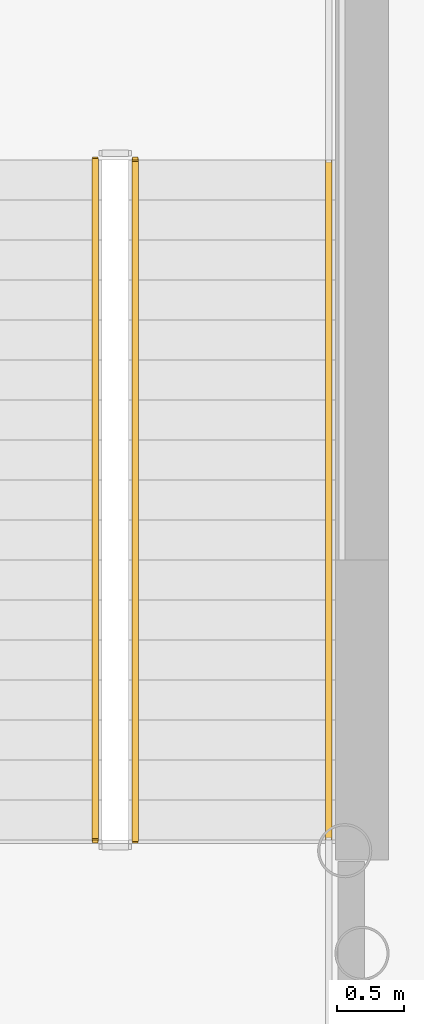
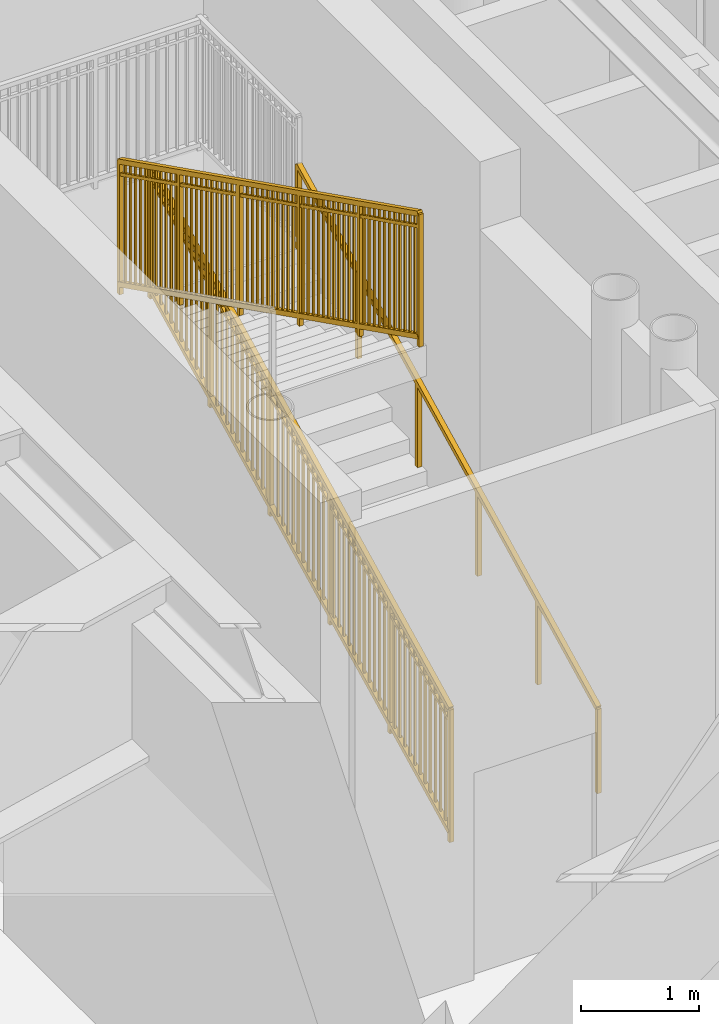
# One storey, part 10 of 15: 3 railings.
"""IFC4 building model written with IfcOpenShell, lengths in metres."""

from ifc_helpers import new_model, si_unit, direction, frame, origin, origin_2d, place, context, subcontext, project, spatial, rectangle, extrude, source, transform, mapped, material, type_object, element, save


model = new_model("IFC4")

# Units and contexts
model_context = context("Model", 3, precision=1e-05, world=origin(), true_north=direction((0.0, 1.0)))
body_context = subcontext(model_context, "Body", "Model", "MODEL_VIEW")
ifc_project = project(units=[si_unit("LENGTHUNIT", "METRE"), si_unit("AREAUNIT", "SQUARE_METRE"), si_unit("VOLUMEUNIT", "CUBIC_METRE"), si_unit("PLANEANGLEUNIT", "RADIAN"), si_unit("MASSUNIT", "GRAM", prefix="KILO")], contexts=[model_context])

# Site, building, storey
site_placement = place(None, origin())
site = spatial("IfcSite", under=ifc_project, at=site_placement, CompositionType="ELEMENT")
building_placement = place(site_placement, origin())
building = spatial("IfcBuilding", under=site, at=building_placement, Name="Linh Dai School and Residence Tower", CompositionType="ELEMENT")
storey_placement = place(building_placement, frame((0.0, 0.0, 145.949951171875)))
storey = spatial("IfcBuildingStorey", under=building, at=storey_placement, Name="L35", CompositionType="ELEMENT", Elevation=145.949951171875)

# Railings
ifc_material_1 = material(Name="Structural Steel S355JR", Category="steel")
railing_type_1 = type_object("IfcRailingType", Name="RL-ST-GUARD-1400", PredefinedType="GUARDRAIL", material=ifc_material_1)
shared_shape_1 = source(origin(), body_context, "Body", "SweptSolid", [
    extrude(rectangle(XDim=0.048095703125, YDim=0.048095703125, at=origin_2d()), frame((0.0, 0.0, 1.3759765625), z_axis=(0.0, 0.89444431709, 0.44717934168), x_axis=(-1.0, 0.0, 0.0)), (0.0, 0.0, 1.0), 5.701904296875),
    extrude(rectangle(XDim=0.048095703125, YDim=0.048095703125, at=origin_2d()), frame((0.0, 0.0, 0.10009765625), z_axis=(0.0, 0.89444431709, 0.44717934168), x_axis=(-1.0, 0.0, 0.0)), (0.0, 0.0, 1.0), 5.701904296875),
    extrude(rectangle(XDim=0.030029296875, YDim=0.030029296875, at=origin_2d()), frame((0.0, 0.0, 1.239990234375), z_axis=(0.0, 0.89444431709, 0.44717934168), x_axis=(-1.0, 0.0, 0.0)), (0.0, 0.0, 1.0), 5.701904296875),
    extrude(rectangle(XDim=0.02001953125, YDim=0.02001953125, at=origin_2d()), frame((0.0, 0.08642578125, 0.143310546875)), (0.0, 0.0, 1.0), 1.251708984375),
    extrude(rectangle(XDim=0.02001953125, YDim=0.02001953125, at=origin_2d()), frame((0.0, 0.1728515625, 0.1865234375)), (0.0, 0.0, 1.0), 1.251708984375),
    extrude(rectangle(XDim=0.02001953125, YDim=0.02001953125, at=origin_2d()), frame((0.0, 0.25927734375, 0.229736328125)), (0.0, 0.0, 1.0), 1.251708984375),
    extrude(rectangle(XDim=0.02001953125, YDim=0.02001953125, at=origin_2d()), frame((0.0, 0.345703125, 0.27294921875)), (0.0, 0.0, 1.0), 1.251708984375),
    extrude(rectangle(XDim=0.02001953125, YDim=0.02001953125, at=origin_2d()), frame((0.0, 0.43212890625, 0.316162109375)), (0.0, 0.0, 1.0), 1.251708984375),
    extrude(rectangle(XDim=0.02001953125, YDim=0.02001953125, at=origin_2d()), frame((0.0, 0.5185546875, 0.359375)), (0.0, 0.0, 1.0), 1.251708984375),
    extrude(rectangle(XDim=0.02001953125, YDim=0.02001953125, at=origin_2d()), frame((0.0, 0.60498046875, 0.402587890625)), (0.0, 0.0, 1.0), 1.251708984375),
    extrude(rectangle(XDim=0.02001953125, YDim=0.02001953125, at=origin_2d()), frame((0.0, 0.691650390625, 0.44580078125)), (0.0, 0.0, 1.0), 1.251708984375),
    extrude(rectangle(XDim=0.02001953125, YDim=0.02001953125, at=origin_2d()), frame((0.0, 0.778076171875, 0.489013671875)), (0.0, 0.0, 1.0), 1.251708984375),
    extrude(rectangle(XDim=0.02001953125, YDim=0.02001953125, at=origin_2d()), frame((0.0, 0.864501953125, 0.5322265625)), (0.0, 0.0, 1.0), 1.251708984375),
    extrude(rectangle(XDim=0.02001953125, YDim=0.02001953125, at=origin_2d()), frame((0.0, 0.950927734375, 0.575439453125)), (0.0, 0.0, 1.0), 1.251708984375),
    extrude(rectangle(XDim=0.02001953125, YDim=0.02001953125, at=origin_2d()), frame((0.0, 1.123779296875, 0.661865234375)), (0.0, 0.0, 1.0), 1.251708984375),
    extrude(rectangle(XDim=0.02001953125, YDim=0.02001953125, at=origin_2d()), frame((0.0, 1.210205078125, 0.705078125)), (0.0, 0.0, 1.0), 1.251708984375),
    extrude(rectangle(XDim=0.02001953125, YDim=0.02001953125, at=origin_2d()), frame((0.0, 1.296630859375, 0.748291015625)), (0.0, 0.0, 1.0), 1.251708984375),
    extrude(rectangle(XDim=0.02001953125, YDim=0.02001953125, at=origin_2d()), frame((0.0, 1.383056640625, 0.79150390625)), (0.0, 0.0, 1.0), 1.251708984375),
    extrude(rectangle(XDim=0.02001953125, YDim=0.02001953125, at=origin_2d()), frame((0.0, 1.469482421875, 0.834716796875)), (0.0, 0.0, 1.0), 1.251708984375),
    extrude(rectangle(XDim=0.02001953125, YDim=0.02001953125, at=origin_2d()), frame((0.0, 1.555908203125, 0.8779296875)), (0.0, 0.0, 1.0), 1.251708984375),
    extrude(rectangle(XDim=0.02001953125, YDim=0.02001953125, at=origin_2d()), frame((0.0, 1.642333984375, 0.921142578125)), (0.0, 0.0, 1.0), 1.251708984375),
    extrude(rectangle(XDim=0.02001953125, YDim=0.02001953125, at=origin_2d()), frame((0.0, 1.728759765625, 0.96435546875)), (0.0, 0.0, 1.0), 1.251708984375),
    extrude(rectangle(XDim=0.02001953125, YDim=0.02001953125, at=origin_2d()), frame((0.0, 1.815185546875, 1.007568359375)), (0.0, 0.0, 1.0), 1.251708984375),
    extrude(rectangle(XDim=0.02001953125, YDim=0.02001953125, at=origin_2d()), frame((0.0, 1.901611328125, 1.05078125)), (0.0, 0.0, 1.0), 1.251708984375),
    extrude(rectangle(XDim=0.02001953125, YDim=0.02001953125, at=origin_2d()), frame((0.0, 1.98828125, 1.093994140625)), (0.0, 0.0, 1.0), 1.251708984375),
    extrude(rectangle(XDim=0.02001953125, YDim=0.02001953125, at=origin_2d()), frame((0.0, 2.1611328125, 1.180419921875)), (0.0, 0.0, 1.0), 1.251708984375),
    extrude(rectangle(XDim=0.02001953125, YDim=0.02001953125, at=origin_2d()), frame((0.0, 2.24755859375, 1.2236328125)), (0.0, 0.0, 1.0), 1.251708984375),
    extrude(rectangle(XDim=0.02001953125, YDim=0.02001953125, at=origin_2d()), frame((0.0, 2.333984375, 1.266845703125)), (0.0, 0.0, 1.0), 1.251708984375),
    extrude(rectangle(XDim=0.02001953125, YDim=0.02001953125, at=origin_2d()), frame((0.0, 2.42041015625, 1.31005859375)), (0.0, 0.0, 1.0), 1.251708984375),
    extrude(rectangle(XDim=0.02001953125, YDim=0.02001953125, at=origin_2d()), frame((0.0, 2.5068359375, 1.353271484375)), (0.0, 0.0, 1.0), 1.251708984375),
    extrude(rectangle(XDim=0.02001953125, YDim=0.02001953125, at=origin_2d()), frame((0.0, 2.59326171875, 1.396728515625)), (0.0, 0.0, 1.0), 1.251708984375),
    extrude(rectangle(XDim=0.02001953125, YDim=0.02001953125, at=origin_2d()), frame((0.0, 2.6796875, 1.43994140625)), (0.0, 0.0, 1.0), 1.251708984375),
    extrude(rectangle(XDim=0.02001953125, YDim=0.02001953125, at=origin_2d()), frame((0.0, 2.76611328125, 1.483154296875)), (0.0, 0.0, 1.0), 1.251708984375),
    extrude(rectangle(XDim=0.02001953125, YDim=0.02001953125, at=origin_2d()), frame((0.0, 2.8525390625, 1.5263671875)), (0.0, 0.0, 1.0), 1.251708984375),
    extrude(rectangle(XDim=0.02001953125, YDim=0.02001953125, at=origin_2d()), frame((0.0, 2.93896484375, 1.569580078125)), (0.0, 0.0, 1.0), 1.251708984375),
    extrude(rectangle(XDim=0.02001953125, YDim=0.02001953125, at=origin_2d()), frame((0.0, 3.11181640625, 1.656005859375)), (0.0, 0.0, 1.0), 1.251708984375),
    extrude(rectangle(XDim=0.02001953125, YDim=0.02001953125, at=origin_2d()), frame((0.0, 3.198486328125, 1.69921875)), (0.0, 0.0, 1.0), 1.251708984375),
    extrude(rectangle(XDim=0.02001953125, YDim=0.02001953125, at=origin_2d()), frame((0.0, 3.284912109375, 1.742431640625)), (0.0, 0.0, 1.0), 1.251708984375),
    extrude(rectangle(XDim=0.02001953125, YDim=0.02001953125, at=origin_2d()), frame((0.0, 3.371337890625, 1.78564453125)), (0.0, 0.0, 1.0), 1.251708984375),
    extrude(rectangle(XDim=0.02001953125, YDim=0.02001953125, at=origin_2d()), frame((0.0, 3.457763671875, 1.828857421875)), (0.0, 0.0, 1.0), 1.251708984375),
    extrude(rectangle(XDim=0.02001953125, YDim=0.02001953125, at=origin_2d()), frame((0.0, 3.544189453125, 1.8720703125)), (0.0, 0.0, 1.0), 1.251708984375),
    extrude(rectangle(XDim=0.02001953125, YDim=0.02001953125, at=origin_2d()), frame((0.0, 3.630615234375, 1.915283203125)), (0.0, 0.0, 1.0), 1.251708984375),
    extrude(rectangle(XDim=0.02001953125, YDim=0.02001953125, at=origin_2d()), frame((0.0, 3.717041015625, 1.95849609375)), (0.0, 0.0, 1.0), 1.251708984375),
    extrude(rectangle(XDim=0.02001953125, YDim=0.02001953125, at=origin_2d()), frame((0.0, 3.803466796875, 2.001708984375)), (0.0, 0.0, 1.0), 1.251708984375),
    extrude(rectangle(XDim=0.02001953125, YDim=0.02001953125, at=origin_2d()), frame((0.0, 3.889892578125, 2.044921875)), (0.0, 0.0, 1.0), 1.251708984375),
    extrude(rectangle(XDim=0.02001953125, YDim=0.02001953125, at=origin_2d()), frame((0.0, 3.976318359375, 2.088134765625)), (0.0, 0.0, 1.0), 1.251708984375),
    extrude(rectangle(XDim=0.02001953125, YDim=0.02001953125, at=origin_2d()), frame((0.0, 4.149169921875, 2.174560546875)), (0.0, 0.0, 1.0), 1.251708984375),
    extrude(rectangle(XDim=0.02001953125, YDim=0.02001953125, at=origin_2d()), frame((0.0, 4.235595703125, 2.2177734375)), (0.0, 0.0, 1.0), 1.251708984375),
    extrude(rectangle(XDim=0.02001953125, YDim=0.02001953125, at=origin_2d()), frame((0.0, 4.322021484375, 2.260986328125)), (0.0, 0.0, 1.0), 1.251708984375),
    extrude(rectangle(XDim=0.02001953125, YDim=0.02001953125, at=origin_2d()), frame((0.0, 4.408447265625, 2.30419921875)), (0.0, 0.0, 1.0), 1.251708984375),
    extrude(rectangle(XDim=0.02001953125, YDim=0.02001953125, at=origin_2d()), frame((0.0, 4.4951171875, 2.347412109375)), (0.0, 0.0, 1.0), 1.251708984375),
    extrude(rectangle(XDim=0.02001953125, YDim=0.02001953125, at=origin_2d()), frame((0.0, 4.58154296875, 2.390625)), (0.0, 0.0, 1.0), 1.251708984375),
    extrude(rectangle(XDim=0.02001953125, YDim=0.02001953125, at=origin_2d()), frame((0.0, 4.66796875, 2.433837890625)), (0.0, 0.0, 1.0), 1.251708984375),
    extrude(rectangle(XDim=0.02001953125, YDim=0.02001953125, at=origin_2d()), frame((0.0, 4.75439453125, 2.47705078125)), (0.0, 0.0, 1.0), 1.251708984375),
    extrude(rectangle(XDim=0.02001953125, YDim=0.02001953125, at=origin_2d()), frame((0.0, 4.8408203125, 2.520263671875)), (0.0, 0.0, 1.0), 1.251708984375),
    extrude(rectangle(XDim=0.02001953125, YDim=0.02001953125, at=origin_2d()), frame((0.0, 4.92724609375, 2.5634765625)), (0.0, 0.0, 1.0), 1.251708984375),
    extrude(rectangle(XDim=0.02001953125, YDim=0.02001953125, at=origin_2d()), frame((0.0, 5.013671875, 2.606689453125)), (0.0, 0.0, 1.0), 1.251708984375),
    extrude(rectangle(XDim=0.0419921875, YDim=0.0419921875, at=origin_2d()), origin(), (0.0, 0.0, 1.0), 1.3759765625),
    extrude(rectangle(XDim=0.0419921875, YDim=0.0419921875, at=origin_2d()), frame((0.0, 1.02001953125, 0.510009765625)), (0.0, 0.0, 1.0), 1.3759765625),
    extrude(rectangle(XDim=0.0419921875, YDim=0.0419921875, at=origin_2d()), frame((0.0, 2.0400390625, 1.02001953125)), (0.0, 0.0, 1.0), 1.3759765625),
    extrude(rectangle(XDim=0.0419921875, YDim=0.0419921875, at=origin_2d()), frame((0.0, 3.06005859375, 1.52978515625)), (0.0, 0.0, 1.0), 1.3759765625),
    extrude(rectangle(XDim=0.0419921875, YDim=0.0419921875, at=origin_2d()), frame((0.0, 4.080078125, 2.039794921875)), (0.0, 0.0, 1.0), 1.3759765625),
    extrude(rectangle(XDim=0.0419921875, YDim=0.0419921875, at=origin_2d()), frame((0.0, 5.10009765625, 2.5498046875)), (0.0, 0.0, 1.0), 1.3759765625),
])
railing_1_placement = place(storey_placement, frame((29.47998046875, 25.699951171875, 0.150146484375)))
element("IfcRailing", 1, at=railing_1_placement, inside=storey, type_object=railing_type_1, Name="L35 ST1 stair guard 1", PredefinedType="GUARDRAIL", context=body_context, shape_type="MappedRepresentation", body=[
    mapped(shared_shape_1, transform((0.0, 0.0, 0.0), x_axis=(1.0, 0.0, 0.0), y_axis=(0.0, 1.0, 0.0), z_axis=(0.0, 0.0, 1.0), scale=1.0)),
])
shared_shape_2 = source(origin(), body_context, "Body", "SweptSolid", [
    extrude(rectangle(XDim=0.048095703125, YDim=0.048095703125, at=origin_2d()), frame((0.0, 0.0, 1.3759765625), z_axis=(0.0, -0.894427191, 0.4472135955), x_axis=(1.0, 0.0, 0.0)), (0.0, 0.0, 1.0), 5.7021484375),
    extrude(rectangle(XDim=0.048095703125, YDim=0.048095703125, at=origin_2d()), frame((0.0, 0.0, 0.10009765625), z_axis=(0.0, -0.894427191, 0.4472135955), x_axis=(1.0, 0.0, 0.0)), (0.0, 0.0, 1.0), 5.7021484375),
    extrude(rectangle(XDim=0.030029296875, YDim=0.030029296875, at=origin_2d()), frame((0.0, 0.0, 1.239990234375), z_axis=(0.0, -0.894427191, 0.4472135955), x_axis=(1.0, 0.0, 0.0)), (0.0, 0.0, 1.0), 5.7021484375),
    extrude(rectangle(XDim=0.02001953125, YDim=0.02001953125, at=origin_2d()), frame((0.0, -0.08642578125, 0.143310546875)), (0.0, 0.0, 1.0), 1.251708984375),
    extrude(rectangle(XDim=0.02001953125, YDim=0.02001953125, at=origin_2d()), frame((0.0, -0.1728515625, 0.1865234375)), (0.0, 0.0, 1.0), 1.251708984375),
    extrude(rectangle(XDim=0.02001953125, YDim=0.02001953125, at=origin_2d()), frame((0.0, -0.25927734375, 0.229736328125)), (0.0, 0.0, 1.0), 1.251708984375),
    extrude(rectangle(XDim=0.02001953125, YDim=0.02001953125, at=origin_2d()), frame((0.0, -0.345703125, 0.27294921875)), (0.0, 0.0, 1.0), 1.251708984375),
    extrude(rectangle(XDim=0.02001953125, YDim=0.02001953125, at=origin_2d()), frame((0.0, -0.43212890625, 0.316162109375)), (0.0, 0.0, 1.0), 1.251708984375),
    extrude(rectangle(XDim=0.02001953125, YDim=0.02001953125, at=origin_2d()), frame((0.0, -0.5185546875, 0.359375)), (0.0, 0.0, 1.0), 1.251708984375),
    extrude(rectangle(XDim=0.02001953125, YDim=0.02001953125, at=origin_2d()), frame((0.0, -0.60498046875, 0.402587890625)), (0.0, 0.0, 1.0), 1.251708984375),
    extrude(rectangle(XDim=0.02001953125, YDim=0.02001953125, at=origin_2d()), frame((0.0, -0.691650390625, 0.44580078125)), (0.0, 0.0, 1.0), 1.251708984375),
    extrude(rectangle(XDim=0.02001953125, YDim=0.02001953125, at=origin_2d()), frame((0.0, -0.778076171875, 0.489013671875)), (0.0, 0.0, 1.0), 1.251708984375),
    extrude(rectangle(XDim=0.02001953125, YDim=0.02001953125, at=origin_2d()), frame((0.0, -0.864501953125, 0.5322265625)), (0.0, 0.0, 1.0), 1.251708984375),
    extrude(rectangle(XDim=0.02001953125, YDim=0.02001953125, at=origin_2d()), frame((0.0, -0.950927734375, 0.575439453125)), (0.0, 0.0, 1.0), 1.251708984375),
    extrude(rectangle(XDim=0.02001953125, YDim=0.02001953125, at=origin_2d()), frame((0.0, -1.123779296875, 0.661865234375)), (0.0, 0.0, 1.0), 1.251708984375),
    extrude(rectangle(XDim=0.02001953125, YDim=0.02001953125, at=origin_2d()), frame((0.0, -1.210205078125, 0.705078125)), (0.0, 0.0, 1.0), 1.251708984375),
    extrude(rectangle(XDim=0.02001953125, YDim=0.02001953125, at=origin_2d()), frame((0.0, -1.296630859375, 0.74853515625)), (0.0, 0.0, 1.0), 1.251708984375),
    extrude(rectangle(XDim=0.02001953125, YDim=0.02001953125, at=origin_2d()), frame((0.0, -1.383056640625, 0.791748046875)), (0.0, 0.0, 1.0), 1.251708984375),
    extrude(rectangle(XDim=0.02001953125, YDim=0.02001953125, at=origin_2d()), frame((0.0, -1.469482421875, 0.8349609375)), (0.0, 0.0, 1.0), 1.251708984375),
    extrude(rectangle(XDim=0.02001953125, YDim=0.02001953125, at=origin_2d()), frame((0.0, -1.555908203125, 0.878173828125)), (0.0, 0.0, 1.0), 1.251708984375),
    extrude(rectangle(XDim=0.02001953125, YDim=0.02001953125, at=origin_2d()), frame((0.0, -1.642333984375, 0.92138671875)), (0.0, 0.0, 1.0), 1.251708984375),
    extrude(rectangle(XDim=0.02001953125, YDim=0.02001953125, at=origin_2d()), frame((0.0, -1.728759765625, 0.964599609375)), (0.0, 0.0, 1.0), 1.251708984375),
    extrude(rectangle(XDim=0.02001953125, YDim=0.02001953125, at=origin_2d()), frame((0.0, -1.815185546875, 1.0078125)), (0.0, 0.0, 1.0), 1.251708984375),
    extrude(rectangle(XDim=0.02001953125, YDim=0.02001953125, at=origin_2d()), frame((0.0, -1.901611328125, 1.051025390625)), (0.0, 0.0, 1.0), 1.251708984375),
    extrude(rectangle(XDim=0.02001953125, YDim=0.02001953125, at=origin_2d()), frame((0.0, -1.98828125, 1.09423828125)), (0.0, 0.0, 1.0), 1.251708984375),
    extrude(rectangle(XDim=0.02001953125, YDim=0.02001953125, at=origin_2d()), frame((0.0, -2.1611328125, 1.1806640625)), (0.0, 0.0, 1.0), 1.251708984375),
    extrude(rectangle(XDim=0.02001953125, YDim=0.02001953125, at=origin_2d()), frame((0.0, -2.24755859375, 1.223876953125)), (0.0, 0.0, 1.0), 1.251708984375),
    extrude(rectangle(XDim=0.02001953125, YDim=0.02001953125, at=origin_2d()), frame((0.0, -2.333984375, 1.26708984375)), (0.0, 0.0, 1.0), 1.251708984375),
    extrude(rectangle(XDim=0.02001953125, YDim=0.02001953125, at=origin_2d()), frame((0.0, -2.42041015625, 1.310302734375)), (0.0, 0.0, 1.0), 1.251708984375),
    extrude(rectangle(XDim=0.02001953125, YDim=0.02001953125, at=origin_2d()), frame((0.0, -2.5068359375, 1.353515625)), (0.0, 0.0, 1.0), 1.251708984375),
    extrude(rectangle(XDim=0.02001953125, YDim=0.02001953125, at=origin_2d()), frame((0.0, -2.59326171875, 1.396728515625)), (0.0, 0.0, 1.0), 1.251708984375),
    extrude(rectangle(XDim=0.02001953125, YDim=0.02001953125, at=origin_2d()), frame((0.0, -2.6796875, 1.43994140625)), (0.0, 0.0, 1.0), 1.251708984375),
    extrude(rectangle(XDim=0.02001953125, YDim=0.02001953125, at=origin_2d()), frame((0.0, -2.76611328125, 1.483154296875)), (0.0, 0.0, 1.0), 1.251708984375),
    extrude(rectangle(XDim=0.02001953125, YDim=0.02001953125, at=origin_2d()), frame((0.0, -2.8525390625, 1.5263671875)), (0.0, 0.0, 1.0), 1.251708984375),
    extrude(rectangle(XDim=0.02001953125, YDim=0.02001953125, at=origin_2d()), frame((0.0, -2.93896484375, 1.569580078125)), (0.0, 0.0, 1.0), 1.251708984375),
    extrude(rectangle(XDim=0.02001953125, YDim=0.02001953125, at=origin_2d()), frame((0.0, -3.11181640625, 1.656005859375)), (0.0, 0.0, 1.0), 1.251708984375),
    extrude(rectangle(XDim=0.02001953125, YDim=0.02001953125, at=origin_2d()), frame((0.0, -3.198486328125, 1.69921875)), (0.0, 0.0, 1.0), 1.251708984375),
    extrude(rectangle(XDim=0.02001953125, YDim=0.02001953125, at=origin_2d()), frame((0.0, -3.284912109375, 1.742431640625)), (0.0, 0.0, 1.0), 1.251708984375),
    extrude(rectangle(XDim=0.02001953125, YDim=0.02001953125, at=origin_2d()), frame((0.0, -3.371337890625, 1.78564453125)), (0.0, 0.0, 1.0), 1.251708984375),
    extrude(rectangle(XDim=0.02001953125, YDim=0.02001953125, at=origin_2d()), frame((0.0, -3.457763671875, 1.828857421875)), (0.0, 0.0, 1.0), 1.251708984375),
    extrude(rectangle(XDim=0.02001953125, YDim=0.02001953125, at=origin_2d()), frame((0.0, -3.544189453125, 1.8720703125)), (0.0, 0.0, 1.0), 1.251708984375),
    extrude(rectangle(XDim=0.02001953125, YDim=0.02001953125, at=origin_2d()), frame((0.0, -3.630615234375, 1.915283203125)), (0.0, 0.0, 1.0), 1.251708984375),
    extrude(rectangle(XDim=0.02001953125, YDim=0.02001953125, at=origin_2d()), frame((0.0, -3.717041015625, 1.95849609375)), (0.0, 0.0, 1.0), 1.251708984375),
    extrude(rectangle(XDim=0.02001953125, YDim=0.02001953125, at=origin_2d()), frame((0.0, -3.803466796875, 2.001708984375)), (0.0, 0.0, 1.0), 1.251708984375),
    extrude(rectangle(XDim=0.02001953125, YDim=0.02001953125, at=origin_2d()), frame((0.0, -3.889892578125, 2.045166015625)), (0.0, 0.0, 1.0), 1.251708984375),
    extrude(rectangle(XDim=0.02001953125, YDim=0.02001953125, at=origin_2d()), frame((0.0, -3.976318359375, 2.08837890625)), (0.0, 0.0, 1.0), 1.251708984375),
    extrude(rectangle(XDim=0.02001953125, YDim=0.02001953125, at=origin_2d()), frame((0.0, -4.149169921875, 2.1748046875)), (0.0, 0.0, 1.0), 1.251708984375),
    extrude(rectangle(XDim=0.02001953125, YDim=0.02001953125, at=origin_2d()), frame((0.0, -4.235595703125, 2.218017578125)), (0.0, 0.0, 1.0), 1.251708984375),
    extrude(rectangle(XDim=0.02001953125, YDim=0.02001953125, at=origin_2d()), frame((0.0, -4.322021484375, 2.26123046875)), (0.0, 0.0, 1.0), 1.251708984375),
    extrude(rectangle(XDim=0.02001953125, YDim=0.02001953125, at=origin_2d()), frame((0.0, -4.408447265625, 2.304443359375)), (0.0, 0.0, 1.0), 1.251708984375),
    extrude(rectangle(XDim=0.02001953125, YDim=0.02001953125, at=origin_2d()), frame((0.0, -4.4951171875, 2.34765625)), (0.0, 0.0, 1.0), 1.251708984375),
    extrude(rectangle(XDim=0.02001953125, YDim=0.02001953125, at=origin_2d()), frame((0.0, -4.58154296875, 2.390869140625)), (0.0, 0.0, 1.0), 1.251708984375),
    extrude(rectangle(XDim=0.02001953125, YDim=0.02001953125, at=origin_2d()), frame((0.0, -4.66796875, 2.43408203125)), (0.0, 0.0, 1.0), 1.251708984375),
    extrude(rectangle(XDim=0.02001953125, YDim=0.02001953125, at=origin_2d()), frame((0.0, -4.75439453125, 2.477294921875)), (0.0, 0.0, 1.0), 1.251708984375),
    extrude(rectangle(XDim=0.02001953125, YDim=0.02001953125, at=origin_2d()), frame((0.0, -4.8408203125, 2.5205078125)), (0.0, 0.0, 1.0), 1.251708984375),
    extrude(rectangle(XDim=0.02001953125, YDim=0.02001953125, at=origin_2d()), frame((0.0, -4.92724609375, 2.563720703125)), (0.0, 0.0, 1.0), 1.251708984375),
    extrude(rectangle(XDim=0.02001953125, YDim=0.02001953125, at=origin_2d()), frame((0.0, -5.013671875, 2.60693359375)), (0.0, 0.0, 1.0), 1.251708984375),
    extrude(rectangle(XDim=0.0419921875, YDim=0.0419921875, at=origin_2d()), origin(), (0.0, 0.0, 1.0), 1.3759765625),
    extrude(rectangle(XDim=0.0419921875, YDim=0.0419921875, at=origin_2d()), frame((0.0, -1.02001953125, 0.510009765625)), (0.0, 0.0, 1.0), 1.3759765625),
    extrude(rectangle(XDim=0.0419921875, YDim=0.0419921875, at=origin_2d()), frame((0.0, -2.0400390625, 1.02001953125)), (0.0, 0.0, 1.0), 1.3759765625),
    extrude(rectangle(XDim=0.0419921875, YDim=0.0419921875, at=origin_2d()), frame((0.0, -3.06005859375, 1.530029296875)), (0.0, 0.0, 1.0), 1.3759765625),
    extrude(rectangle(XDim=0.0419921875, YDim=0.0419921875, at=origin_2d()), frame((0.0, -4.080078125, 2.0400390625)), (0.0, 0.0, 1.0), 1.3759765625),
    extrude(rectangle(XDim=0.0419921875, YDim=0.0419921875, at=origin_2d()), frame((0.0, -5.10009765625, 2.550048828125)), (0.0, 0.0, 1.0), 1.3759765625),
])
railing_2_placement = place(storey_placement, frame((29.179931640625, 30.800048828125, 2.85009765625)))
element("IfcRailing", 2, at=railing_2_placement, inside=storey, type_object=railing_type_1, Name="L35 ST1 stair guard 6", PredefinedType="GUARDRAIL", context=body_context, shape_type="MappedRepresentation", body=[
    mapped(shared_shape_2, transform((0.0, 0.0, 0.0), x_axis=(1.0, 0.0, 0.0), y_axis=(0.0, 1.0, 0.0), z_axis=(0.0, 0.0, 1.0), scale=1.0)),
])
ifc_material_2 = material(Name="Brushed Stainless Steel Handrail", Category="steel")
railing_type_2 = type_object("IfcRailingType", Name="RL-ST-HANDRAIL-900", PredefinedType="HANDRAIL", material=ifc_material_2)
shared_shape_3 = source(origin(), body_context, "Body", "SweptSolid", [
    extrude(rectangle(XDim=0.048095703125, YDim=0.048095703125, at=origin_2d()), frame((0.0, 0.0, 0.8759765625), z_axis=(0.0, 0.89444431709, 0.44717934168), x_axis=(-1.0, 0.0, 0.0)), (0.0, 0.0, 1.0), 5.701904296875),
    extrude(rectangle(XDim=0.0419921875, YDim=0.0419921875, at=origin_2d()), origin(), (0.0, 0.0, 1.0), 0.8759765625),
    extrude(rectangle(XDim=0.0419921875, YDim=0.0419921875, at=origin_2d()), frame((0.0, 1.02001953125, 0.510009765625)), (0.0, 0.0, 1.0), 0.8759765625),
    extrude(rectangle(XDim=0.0419921875, YDim=0.0419921875, at=origin_2d()), frame((0.0, 2.0400390625, 1.02001953125)), (0.0, 0.0, 1.0), 0.8759765625),
    extrude(rectangle(XDim=0.0419921875, YDim=0.0419921875, at=origin_2d()), frame((0.0, 3.06005859375, 1.52978515625)), (0.0, 0.0, 1.0), 0.8759765625),
    extrude(rectangle(XDim=0.0419921875, YDim=0.0419921875, at=origin_2d()), frame((0.0, 4.080078125, 2.039794921875)), (0.0, 0.0, 1.0), 0.8759765625),
    extrude(rectangle(XDim=0.0419921875, YDim=0.0419921875, at=origin_2d()), frame((0.0, 5.10009765625, 2.5498046875)), (0.0, 0.0, 1.0), 0.8759765625),
])
railing_3_placement = place(storey_placement, frame((30.929931640625, 25.699951171875, 0.150146484375)))
element("IfcRailing", 3, at=railing_3_placement, inside=storey, type_object=railing_type_2, Name="L35 ST1 stair handrail 1", PredefinedType="HANDRAIL", context=body_context, shape_type="MappedRepresentation", body=[
    mapped(shared_shape_3, transform((0.0, 0.0, 0.0), x_axis=(1.0, 0.0, 0.0), y_axis=(0.0, 1.0, 0.0), z_axis=(0.0, 0.0, 1.0), scale=1.0)),
])

save(model, "model.ifc")
